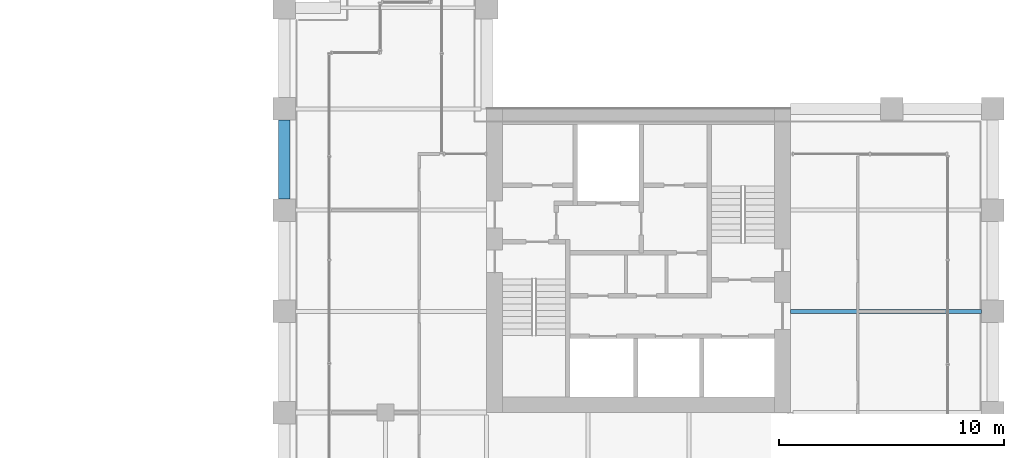
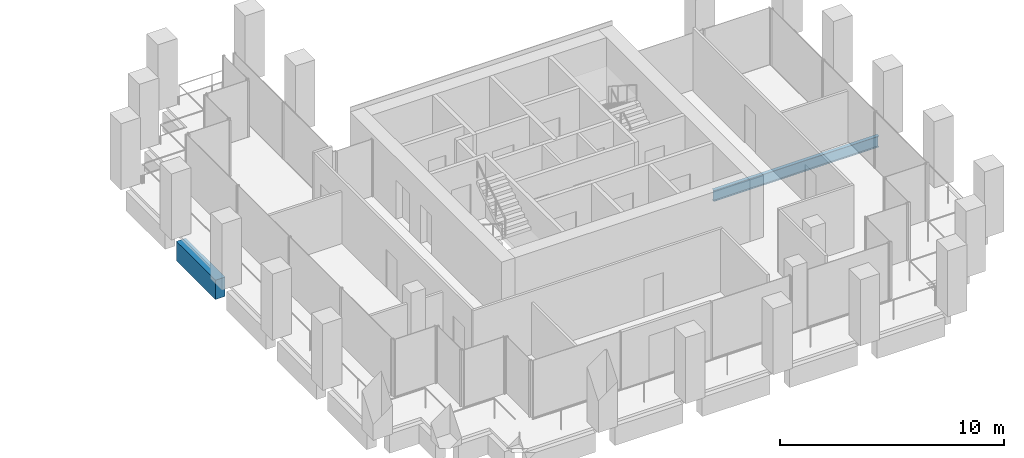
# One storey, part 33 of 46: 2 beams.
"""IFC4 building model written with IfcOpenShell, lengths in metres."""

from ifc_helpers import new_model, si_unit, direction, frame, origin, origin_2d, place, context, subcontext, project, spatial, rectangle, i_section, extrude, material, material_profile, profile_set, type_object, element, save


model = new_model("IFC4")

# Units and contexts
model_context = context("Model", 3, precision=1e-05, world=origin(), true_north=direction((0.0, 1.0)))
body_context = subcontext(model_context, "Body", "Model", "MODEL_VIEW")
ifc_project = project(units=[si_unit("LENGTHUNIT", "METRE"), si_unit("AREAUNIT", "SQUARE_METRE"), si_unit("VOLUMEUNIT", "CUBIC_METRE"), si_unit("PLANEANGLEUNIT", "RADIAN"), si_unit("MASSUNIT", "GRAM", prefix="KILO")], contexts=[model_context])

# Site, building, storey
site_placement = place(None, origin())
site = spatial("IfcSite", under=ifc_project, at=site_placement, CompositionType="ELEMENT")
building_placement = place(site_placement, origin())
building = spatial("IfcBuilding", under=site, at=building_placement, Name="Altepetl Exchange Towers", CompositionType="ELEMENT")
storey_placement = place(building_placement, frame((0.0, 0.0, 131.60009765625)))
storey = spatial("IfcBuildingStorey", under=building, at=storey_placement, Name="L32", CompositionType="ELEMENT", Elevation=131.60009765625)

# Beams
ifc_material_1 = material(Name="Steel S355", Category="steel")
ifc_material_profile_1 = material_profile(ifc_material_1, i_section(OverallWidth=0.177978515625, OverallDepth=0.59912109375, WebThickness=0.010009765625, FlangeThickness=0.0126953125, at=origin_2d()), Name="W24X55")
ifc_profile_set_1 = profile_set([ifc_material_profile_1], Name="Steel S355")
beam_type_1 = type_object("IfcBeamType", Name="Floor beam W24X55", PredefinedType="BEAM", material=ifc_profile_set_1)
beam_1_placement = place(storey_placement, frame((117.0, 40.5, -0.44970703125), z_axis=(1.0, 0.0, 0.0), x_axis=(0.0, 1.0, 0.0)))
element("IfcBeam", 1, at=beam_1_placement, inside=storey, type_object=beam_type_1, Name="bm:B:L32:002", PredefinedType="BEAM", context=body_context, shape_type="SweptSolid", body=[
    extrude(i_section(OverallWidth=0.177978515625, OverallDepth=0.59912109375, WebThickness=0.010009765625, FlangeThickness=0.0126953125, at=origin_2d()), origin(), (0.0, 0.0, 1.0), 8.5),
])
ifc_material_2 = material(Name="Concrete C50/60 precast with cantera rosa facing", Category="concrete")
ifc_material_profile_2 = material_profile(ifc_material_2, rectangle(XDim=0.5, YDim=1.050048828125, at=origin_2d()), Name="500 x 1050")
ifc_profile_set_2 = profile_set([ifc_material_profile_2], Name="Concrete C50/60 precast with cantera rosa facing")
beam_type_2 = type_object("IfcBeamType", Name="Spandrel beam 500x1050 cantera rosa", PredefinedType="SPANDREL", material=ifc_profile_set_2)
beam_2_placement = place(storey_placement, frame((94.5, 49.0, -0.675048828125), z_axis=(0.0, -1.0, 0.0), x_axis=(1.0, 0.0, 0.0)))
element("IfcBeam", 2, at=beam_2_placement, inside=storey, type_object=beam_type_2, Name="sp:B:L32:023", PredefinedType="SPANDREL", context=body_context, shape_type="SweptSolid", body=[
    extrude(rectangle(XDim=0.5, YDim=1.050048828125, at=origin_2d()), origin(), (0.0, 0.0, 1.0), 3.5),
])

save(model, "model.ifc")
